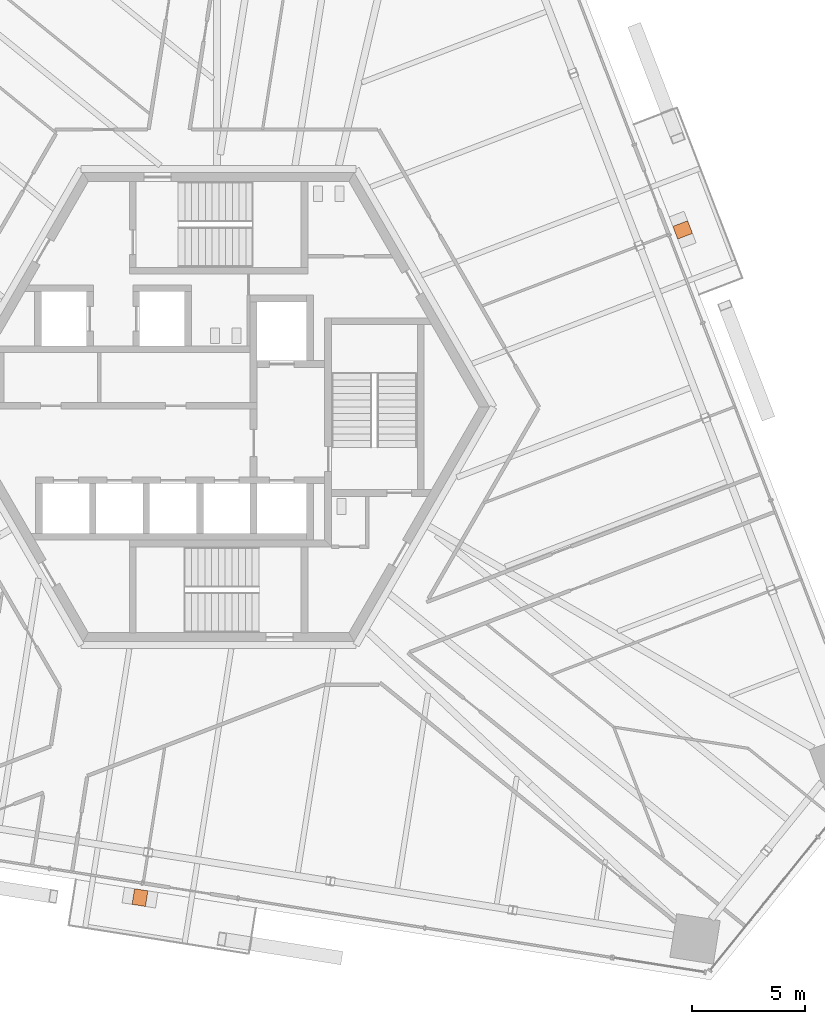
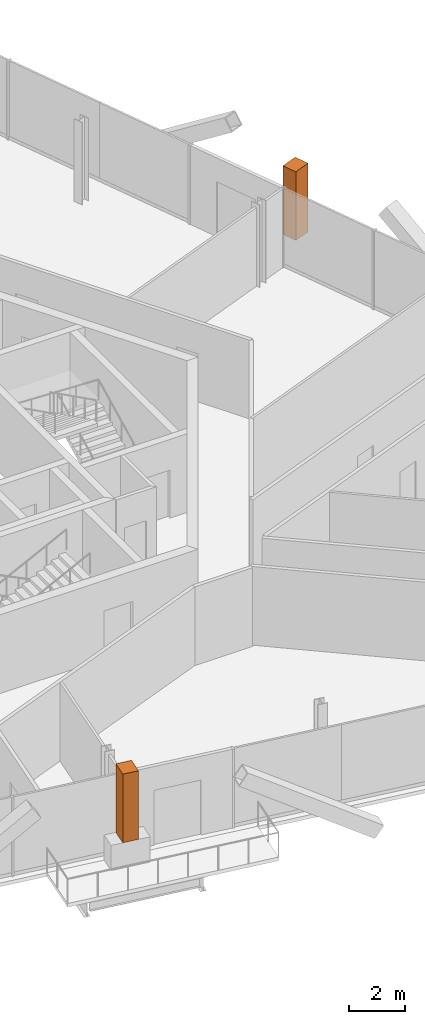
# One storey, part 19 of 19: 2 geographic elements.
"""IFC4 building model written with IfcOpenShell, lengths in metres."""

from ifc_helpers import new_model, si_unit, direction, frame, origin, origin_2d, place, context, subcontext, project, spatial, rectangle, extrude, source, transform, mapped, material, type_object, element, save


model = new_model("IFC4")

# Units and contexts
model_context = context("Model", 3, precision=1e-05, world=origin(), true_north=direction((0.0, 1.0)))
body_context = subcontext(model_context, "Body", "Model", "MODEL_VIEW")
ifc_project = project(units=[si_unit("LENGTHUNIT", "METRE"), si_unit("AREAUNIT", "SQUARE_METRE"), si_unit("VOLUMEUNIT", "CUBIC_METRE"), si_unit("PLANEANGLEUNIT", "RADIAN"), si_unit("MASSUNIT", "GRAM", prefix="KILO")], contexts=[model_context])

# Site, building, storey
site_placement = place(None, origin())
site = spatial("IfcSite", under=ifc_project, at=site_placement, CompositionType="ELEMENT")
building_placement = place(site_placement, origin())
building = spatial("IfcBuilding", under=site, at=building_placement, Name="Triune Harvest Tower", CompositionType="ELEMENT")
storey_placement = place(building_placement, frame((0.0, 0.0, 149.699951171875)))
storey = spatial("IfcBuildingStorey", under=building, at=storey_placement, Name="L38", CompositionType="ELEMENT", Elevation=149.699951171875)

# Geographic elements
ifc_material = material(Name="TREE-1 tree")
geographic_element_type = type_object("IfcGeographicElementType", Name="TREE-1 tree", PredefinedType="USERDEFINED", material=ifc_material)
shared_shape = source(origin(), body_context, "Body", "SweptSolid", [
    extrude(rectangle(XDim=0.60009765625, YDim=0.699951171875, at=origin_2d()), origin(), (0.0, 0.0, 1.0), 3.0),
])
for number, where, z_axis, x_axis, name in (
    (1, (20.553466796875, 7.847412109375, 1.10009765625), (0.0, 0.0, 1.0), (-0.35836927228, 0.933579918746, 0.0), "Tree B4-F1 L38.7a"),
    (2, (-3.480712890625, -21.7236328125, 1.10009765625), (0.0, 0.0, 1.0), (0.987688259912, -0.156434974453, 0.0), "Tree B4-F5 L38.7a"),
):
    element("IfcGeographicElement", number, at=place(storey_placement, frame(where, z_axis=z_axis, x_axis=x_axis)), inside=storey, type_object=geographic_element_type, Name=name, ObjectType="TREE", PredefinedType="USERDEFINED", context=body_context, shape_type="MappedRepresentation", body=[
        mapped(shared_shape, transform((0.0, 0.0, 0.0), scale=1.0)),
    ])

save(model, "model.ifc")
